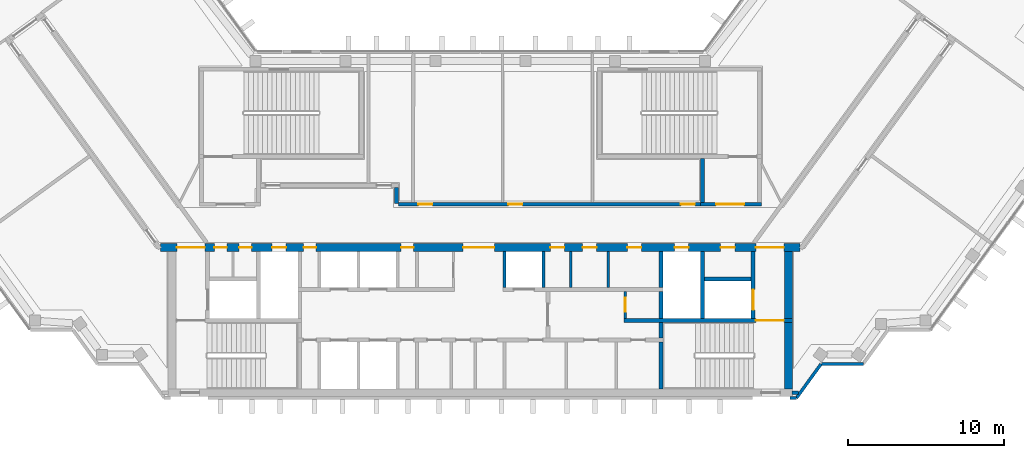
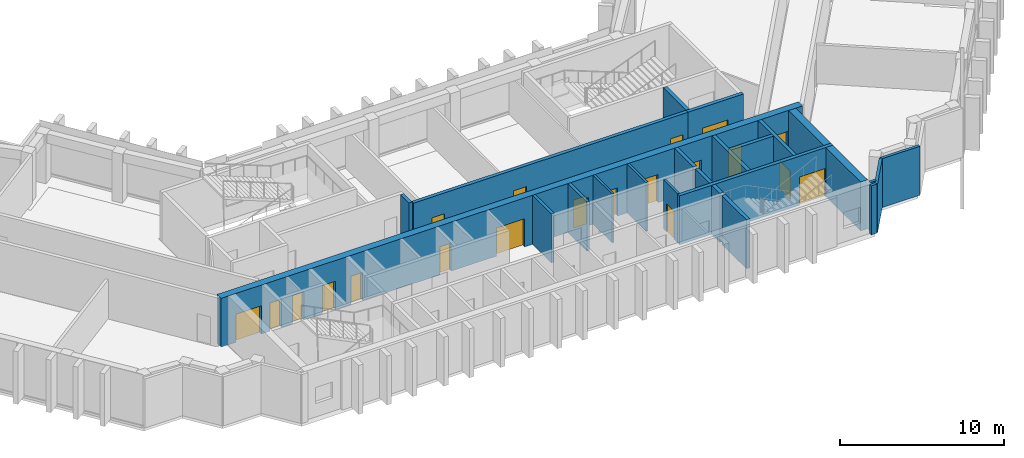
# One storey, part 6 of 10: 24 walls, 20 doors, 20 openings.
"""IFC4 building model written with IfcOpenShell, lengths in metres."""

from ifc_helpers import new_model, si_unit, direction, frame, frame_2d, origin, place, context, subcontext, project, spatial, rectangle, extrude, material, layer, layer_set, type_object, element, fill, save


model = new_model("IFC4")

# Units and contexts
model_context = context("Model", 3, precision=1e-05, world=origin(), true_north=direction((0.0, 1.0)))
body_context = subcontext(model_context, "Body", "Model", "MODEL_VIEW")
ifc_project = project(units=[si_unit("LENGTHUNIT", "METRE"), si_unit("AREAUNIT", "SQUARE_METRE"), si_unit("VOLUMEUNIT", "CUBIC_METRE"), si_unit("PLANEANGLEUNIT", "RADIAN"), si_unit("MASSUNIT", "GRAM", prefix="KILO")], contexts=[model_context])

# Site, building, storey
site_placement = place(None, origin())
site = spatial("IfcSite", under=ifc_project, at=site_placement, CompositionType="ELEMENT")
building_placement = place(site_placement, origin())
building = spatial("IfcBuilding", under=site, at=building_placement, Name="Quipu Civic Tower", CompositionType="ELEMENT")
storey_placement = place(building_placement, frame((0.0, 0.0, 339.0)))
storey = spatial("IfcBuildingStorey", under=building, at=storey_placement, Name="L79", CompositionType="ELEMENT", Elevation=339.0)

# Walls
ifc_material_1 = material(Name="Concrete C70/85", Category="concrete")
ifc_layer_1 = layer(ifc_material_1, 0.25)
ifc_layer_set_1 = layer_set([ifc_layer_1], Name="Concrete C70/85")
wall_type_1 = type_object("IfcWallType", Name="Core wall 250", PredefinedType="SHEAR", material=ifc_layer_set_1)
wall_1_placement = place(storey_placement, frame((11.574951171875, -10.5, 0.0), z_axis=(0.0, 0.0, 1.0), x_axis=(0.0, 1.0, 0.0)))
element("IfcWall", 1, at=wall_1_placement, inside=storey, type_object=wall_type_1, Name="Core wall", PredefinedType="SHEAR", context=body_context, shape_type="SweptSolid", body=[
    extrude(rectangle(XDim=3.0, YDim=0.25, at=frame_2d((1.5, 0.0))), origin(), (0.0, 0.0, 1.0), 3.64990234375),
])
wall_2_placement = place(storey_placement, frame((11.574951171875, -7.25, 0.0), z_axis=(0.0, 0.0, 1.0), x_axis=(0.0, 1.0, 0.0)))
element("IfcWall", 2, at=wall_2_placement, inside=storey, type_object=wall_type_1, Name="Core wall", PredefinedType="SHEAR", context=body_context, shape_type="SweptSolid", body=[
    extrude(rectangle(XDim=1.0, YDim=0.25, at=frame_2d((0.5, 0.0))), origin(), (0.0, 0.0, 1.0), 3.64990234375),
])

# Wall, opening, door
wall_3_placement = place(storey_placement, frame((20.0, -6.125, 0.0), z_axis=(0.0, 0.0, 1.0), x_axis=(-1.0, 0.0, 0.0)))
wall_3 = element("IfcWall", 3, at=wall_3_placement, inside=storey, type_object=wall_type_1, Name="Core wall", PredefinedType="SHEAR", context=body_context, shape_type="SweptSolid", body=[
    extrude(rectangle(XDim=10.800048828125, YDim=0.25, at=frame_2d((5.39990234375, 0.0))), origin(), (0.0, 0.0, 1.0), 3.64990234375),
])
opening_1_placement = place(wall_3_placement, frame((0.550048828125, 0.0, 0.0)))
opening_1 = element("IfcOpeningElement", 4, at=opening_1_placement, cuts=wall_3, Name="Opening CD-10", PredefinedType="OPENING", context=body_context, shape_type="SweptSolid", body=[
    extrude(rectangle(XDim=1.800048828125, YDim=2.10009765625, at=frame_2d((0.89990234375, 1.050048828125))), frame((0.0, 0.135009765625, 0.0), z_axis=(0.0, -1.0, 0.0), x_axis=(1.0, 0.0, 0.0)), (0.0, 0.0, 1.0), 0.27001953125),
])
ifc_material_2 = material(Name="Fire rated steel door", Category="steel")
door_type_1 = type_object("IfcDoorType", Name="Fire door FD90 double 1800 x 2100", OperationType="NOTDEFINED", PredefinedType="DOOR", material=ifc_material_2)
door_1_placement = place(opening_1_placement, origin())
door_1 = element("IfcDoor", 5, at=door_1_placement, inside=storey, type_object=door_type_1, Name="Door", OperationType="DOUBLE_DOOR_SINGLE_SWING", OverallHeight=2.10009765625, OverallWidth=1.800048828125, PredefinedType="DOOR", context=body_context, shape_type="SweptSolid", body=[
    extrude(rectangle(XDim=1.800048828125, YDim=2.10009765625, at=frame_2d((0.89990234375, 1.050048828125))), frame((0.0, 0.02490234375, 0.0), z_axis=(0.0, -1.0, 0.0), x_axis=(1.0, 0.0, 0.0)), (0.0, 0.0, 1.0), 0.050048828125),
])
fill(opening_1, door_1)

# Walls
wall_4_placement = place(storey_placement, frame((11.574951171875, -6.0, 0.0), z_axis=(0.0, 0.0, 1.0), x_axis=(0.0, 1.0, 0.0)))
element("IfcWall", 6, at=wall_4_placement, inside=storey, type_object=wall_type_1, Name="Core wall", PredefinedType="SHEAR", context=body_context, shape_type="SweptSolid", body=[
    extrude(rectangle(XDim=1.75, YDim=0.25, at=frame_2d((0.875, 0.0))), origin(), (0.0, 0.0, 1.0), 3.64990234375),
])
wall_5_placement = place(storey_placement, frame((14.22509765625, -6.0, 0.0), z_axis=(0.0, 0.0, 1.0), x_axis=(0.0, 1.0, 0.0)))
element("IfcWall", 7, at=wall_5_placement, inside=storey, type_object=wall_type_1, Name="Core wall", PredefinedType="SHEAR", context=body_context, shape_type="SweptSolid", body=[
    extrude(rectangle(XDim=4.300048828125, YDim=0.25, at=frame_2d((2.14990234375, 0.0))), origin(), (0.0, 0.0, 1.0), 3.64990234375),
])

# Wall, opening, door
wall_6_placement = place(storey_placement, frame((17.47509765625, -6.0, 0.0), z_axis=(0.0, 0.0, 1.0), x_axis=(0.0, 1.0, 0.0)))
wall_6 = element("IfcWall", 8, at=wall_6_placement, inside=storey, type_object=wall_type_1, Name="Core wall", PredefinedType="SHEAR", context=body_context, shape_type="SweptSolid", body=[
    extrude(rectangle(XDim=4.300048828125, YDim=0.25, at=frame_2d((2.14990234375, 0.0))), origin(), (0.0, 0.0, 1.0), 3.64990234375),
])
opening_2_placement = place(wall_6_placement, frame((0.550048828125, 0.0, 0.0)))
opening_2 = element("IfcOpeningElement", 9, at=opening_2_placement, cuts=wall_6, Name="Opening LD-FF2", PredefinedType="OPENING", context=body_context, shape_type="SweptSolid", body=[
    extrude(rectangle(XDim=1.300048828125, YDim=2.10009765625, at=frame_2d((0.64990234375, 1.050048828125))), frame((0.0, 0.135009765625, 0.0), z_axis=(0.0, -1.0, 0.0), x_axis=(1.0, 0.0, 0.0)), (0.0, 0.0, 1.0), 0.27001953125),
])
ifc_material_3 = material(Name="Stainless steel", Category="steel")
door_type_2 = type_object("IfcDoorType", Name="Lift landing door 1300 x 2100", OperationType="DOUBLE_DOOR_SLIDING", PredefinedType="DOOR", material=ifc_material_3)
door_2_placement = place(opening_2_placement, origin())
door_2 = element("IfcDoor", 10, at=door_2_placement, inside=storey, type_object=door_type_2, Name="Landing door FF2", OperationType="DOUBLE_DOOR_SLIDING", OverallHeight=2.10009765625, OverallWidth=1.300048828125, PredefinedType="DOOR", context=body_context, shape_type="SweptSolid", body=[
    extrude(rectangle(XDim=1.300048828125, YDim=2.10009765625, at=frame_2d((0.64990234375, 1.050048828125))), frame((0.0, 0.02490234375, 0.0), z_axis=(0.0, -1.0, 0.0), x_axis=(1.0, 0.0, 0.0)), (0.0, 0.0, 1.0), 0.050048828125),
])
fill(opening_2, door_2)

# Walls
wall_7_placement = place(storey_placement, frame((11.574951171875, -4.0, 0.0), z_axis=(0.0, 0.0, 1.0), x_axis=(0.0, 1.0, 0.0)))
element("IfcWall", 11, at=wall_7_placement, inside=storey, type_object=wall_type_1, Name="Core wall", PredefinedType="SHEAR", context=body_context, shape_type="SweptSolid", body=[
    extrude(rectangle(XDim=2.300048828125, YDim=0.25, at=frame_2d((1.14990234375, 0.0))), origin(), (0.0, 0.0, 1.0), 3.64990234375),
])
wall_8_placement = place(storey_placement, frame((14.35009765625, -3.47509765625, 0.0), z_axis=(0.0, 0.0, 1.0), x_axis=(1.0, 0.0, 0.0)))
element("IfcWall", 12, at=wall_8_placement, inside=storey, type_object=wall_type_1, Name="Core wall", PredefinedType="SHEAR", context=body_context, shape_type="SweptSolid", body=[
    extrude(rectangle(XDim=3.0, YDim=0.25, at=frame_2d((1.5, 0.0))), origin(), (0.0, 0.0, 1.0), 3.64990234375),
])

# Wall, opening, door
wall_9_placement = place(storey_placement, frame((14.10009765625, 1.324951171875, 0.0), z_axis=(0.0, 0.0, 1.0), x_axis=(1.0, 0.0, 0.0)))
wall_9 = element("IfcWall", 13, at=wall_9_placement, inside=storey, type_object=wall_type_1, Name="Core wall", PredefinedType="SHEAR", context=body_context, shape_type="SweptSolid", body=[
    extrude(rectangle(XDim=3.89990234375, YDim=0.25, at=frame_2d((1.949951171875, 0.0))), origin(), (0.0, 0.0, 1.0), 3.64990234375),
])
opening_3_placement = place(wall_9_placement, frame((1.0, 0.0, 0.0)))
opening_3 = element("IfcOpeningElement", 14, at=opening_3_placement, cuts=wall_9, Name="Opening CD-29", PredefinedType="OPENING", context=body_context, shape_type="SweptSolid", body=[
    extrude(rectangle(XDim=1.800048828125, YDim=2.10009765625, at=frame_2d((0.89990234375, 1.050048828125))), frame((0.0, 0.135009765625, 0.0), z_axis=(0.0, -1.0, 0.0), x_axis=(1.0, 0.0, 0.0)), (0.0, 0.0, 1.0), 0.27001953125),
])
door_3_placement = place(opening_3_placement, origin())
door_3 = element("IfcDoor", 15, at=door_3_placement, inside=storey, type_object=door_type_1, Name="Lobby door", OperationType="DOUBLE_DOOR_SINGLE_SWING", OverallHeight=2.10009765625, OverallWidth=1.800048828125, PredefinedType="DOOR", context=body_context, shape_type="SweptSolid", body=[
    extrude(rectangle(XDim=1.800048828125, YDim=2.10009765625, at=frame_2d((0.89990234375, 1.050048828125))), frame((0.0, 0.02490234375, 0.0), z_axis=(0.0, -1.0, 0.0), x_axis=(1.0, 0.0, 0.0)), (0.0, 0.0, 1.0), 0.050048828125),
])
fill(opening_3, door_3)

# Walls
wall_10_placement = place(storey_placement, frame((14.22509765625, 1.449951171875, 0.0), z_axis=(0.0, 0.0, 1.0), x_axis=(0.0, 1.0, 0.0)))
element("IfcWall", 16, at=wall_10_placement, inside=storey, type_object=wall_type_1, Name="Core wall", PredefinedType="SHEAR", context=body_context, shape_type="SweptSolid", body=[
    extrude(rectangle(XDim=2.800048828125, YDim=0.25, at=frame_2d((1.39990234375, 0.0))), origin(), (0.0, 0.0, 1.0), 3.64990234375),
])
ifc_material_4 = material(Name="Concrete C70/85", Category="concrete")
ifc_layer_2 = layer(ifc_material_4, 0.5)
ifc_layer_set_2 = layer_set([ifc_layer_2], Name="Concrete C70/85")
wall_type_2 = type_object("IfcWallType", Name="Core wall 500", PredefinedType="SHEAR", material=ifc_layer_set_2)
wall_11_placement = place(storey_placement, frame((19.75, -10.5, 0.0), z_axis=(0.0, 0.0, 1.0), x_axis=(0.0, 1.0, 0.0)))
element("IfcWall", 17, at=wall_11_placement, inside=storey, type_object=wall_type_2, Name="Core wall", PredefinedType="SHEAR", context=body_context, shape_type="SweptSolid", body=[
    extrude(rectangle(XDim=4.25, YDim=0.5, at=frame_2d((2.125, 0.0))), origin(), (0.0, 0.0, 1.0), 3.64990234375),
])
wall_12_placement = place(storey_placement, frame((19.75, -6.0, 0.0), z_axis=(0.0, 0.0, 1.0), x_axis=(0.0, 1.0, 0.0)))
element("IfcWall", 18, at=wall_12_placement, inside=storey, type_object=wall_type_2, Name="Core wall", PredefinedType="SHEAR", context=body_context, shape_type="SweptSolid", body=[
    extrude(rectangle(XDim=4.300048828125, YDim=0.5, at=frame_2d((2.14990234375, 0.0))), origin(), (0.0, 0.0, 1.0), 3.64990234375),
])

# Wall, openings, doors
wall_13_placement = place(storey_placement, frame((20.489990234375, -1.449951171875, 0.0), z_axis=(0.0, 0.0, 1.0), x_axis=(-1.0, 0.0, 0.0)))
wall_13 = element("IfcWall", 19, at=wall_13_placement, inside=storey, type_object=wall_type_2, Name="Core wall", PredefinedType="SHEAR", context=body_context, shape_type="SweptSolid", body=[
    extrude(rectangle(XDim=40.97998046875, YDim=0.5, at=frame_2d((20.489990234375, 0.0))), origin(), (0.0, 0.0, 1.0), 3.64990234375),
])
opening_4_placement = place(wall_13_placement, frame((38.139892578125, 0.0, 0.0)))
opening_4 = element("IfcOpeningElement", 20, at=opening_4_placement, cuts=wall_13, Name="Opening CD-14", PredefinedType="OPENING", context=body_context, shape_type="SweptSolid", body=[
    extrude(rectangle(XDim=1.800048828125, YDim=2.10009765625, at=frame_2d((0.89990234375, 1.050048828125))), frame((0.0, 0.260009765625, 0.0), z_axis=(0.0, -1.0, 0.0), x_axis=(1.0, 0.0, 0.0)), (0.0, 0.0, 1.0), 0.52001953125),
])
opening_5_placement = place(wall_13_placement, frame((36.7275390625, 0.0, 0.0)))
opening_5 = element("IfcOpeningElement", 21, at=opening_5_placement, cuts=wall_13, Name="Opening CD-15", PredefinedType="OPENING", context=body_context, shape_type="SweptSolid", body=[
    extrude(rectangle(XDim=0.800048828125, YDim=2.10009765625, at=frame_2d((0.39990234375, 1.050048828125))), frame((0.0, 0.260009765625, 0.0), z_axis=(0.0, -1.0, 0.0), x_axis=(1.0, 0.0, 0.0)), (0.0, 0.0, 1.0), 0.52001953125),
])
opening_6_placement = place(wall_13_placement, frame((35.152587890625, 0.0, 0.0)))
opening_6 = element("IfcOpeningElement", 22, at=opening_6_placement, cuts=wall_13, Name="Opening CD-16", PredefinedType="OPENING", context=body_context, shape_type="SweptSolid", body=[
    extrude(rectangle(XDim=0.800048828125, YDim=2.10009765625, at=frame_2d((0.39990234375, 1.050048828125))), frame((0.0, 0.260009765625, 0.0), z_axis=(0.0, -1.0, 0.0), x_axis=(1.0, 0.0, 0.0)), (0.0, 0.0, 1.0), 0.52001953125),
])
opening_7_placement = place(wall_13_placement, frame((32.93994140625, 0.0, 0.0)))
opening_7 = element("IfcOpeningElement", 23, at=opening_7_placement, cuts=wall_13, Name="Opening CD-17", PredefinedType="OPENING", context=body_context, shape_type="SweptSolid", body=[
    extrude(rectangle(XDim=0.89990234375, YDim=2.10009765625, at=frame_2d((0.449951171875, 1.050048828125))), frame((0.0, 0.260009765625, 0.0), z_axis=(0.0, -1.0, 0.0), x_axis=(1.0, 0.0, 0.0)), (0.0, 0.0, 1.0), 0.52001953125),
])
opening_8_placement = place(wall_13_placement, frame((31.014892578125, 0.0, 0.0)))
opening_8 = element("IfcOpeningElement", 24, at=opening_8_placement, cuts=wall_13, Name="Opening CD-18", PredefinedType="OPENING", context=body_context, shape_type="SweptSolid", body=[
    extrude(rectangle(XDim=0.800048828125, YDim=2.10009765625, at=frame_2d((0.39990234375, 1.050048828125))), frame((0.0, 0.260009765625, 0.0), z_axis=(0.0, -1.0, 0.0), x_axis=(1.0, 0.0, 0.0)), (0.0, 0.0, 1.0), 0.52001953125),
])
opening_9_placement = place(wall_13_placement, frame((24.764892578125, 0.0, 0.0)))
opening_9 = element("IfcOpeningElement", 25, at=opening_9_placement, cuts=wall_13, Name="Opening CD-19", PredefinedType="OPENING", context=body_context, shape_type="SweptSolid", body=[
    extrude(rectangle(XDim=0.800048828125, YDim=2.10009765625, at=frame_2d((0.39990234375, 1.050048828125))), frame((0.0, 0.260009765625, 0.0), z_axis=(0.0, -1.0, 0.0), x_axis=(1.0, 0.0, 0.0)), (0.0, 0.0, 1.0), 0.52001953125),
])
opening_10_placement = place(wall_13_placement, frame((19.590087890625, 0.0, 0.0)))
opening_10 = element("IfcOpeningElement", 26, at=opening_10_placement, cuts=wall_13, Name="Opening CD-20", PredefinedType="OPENING", context=body_context, shape_type="SweptSolid", body=[
    extrude(rectangle(XDim=2.0, YDim=2.10009765625, at=frame_2d((1.0, 1.050048828125))), frame((0.0, 0.260009765625, 0.0), z_axis=(0.0, -1.0, 0.0), x_axis=(1.0, 0.0, 0.0)), (0.0, 0.0, 1.0), 0.52001953125),
])
opening_11_placement = place(wall_13_placement, frame((15.1025390625, 0.0, 0.0)))
opening_11 = element("IfcOpeningElement", 27, at=opening_11_placement, cuts=wall_13, Name="Opening CD-21", PredefinedType="OPENING", context=body_context, shape_type="SweptSolid", body=[
    extrude(rectangle(XDim=0.89990234375, YDim=2.10009765625, at=frame_2d((0.449951171875, 1.050048828125))), frame((0.0, 0.260009765625, 0.0), z_axis=(0.0, -1.0, 0.0), x_axis=(1.0, 0.0, 0.0)), (0.0, 0.0, 1.0), 0.52001953125),
])
opening_12_placement = place(wall_13_placement, frame((13.0400390625, 0.0, 0.0)))
opening_12 = element("IfcOpeningElement", 28, at=opening_12_placement, cuts=wall_13, Name="Opening CD-22", PredefinedType="OPENING", context=body_context, shape_type="SweptSolid", body=[
    extrude(rectangle(XDim=0.89990234375, YDim=2.10009765625, at=frame_2d((0.449951171875, 1.050048828125))), frame((0.0, 0.260009765625, 0.0), z_axis=(0.0, -1.0, 0.0), x_axis=(1.0, 0.0, 0.0)), (0.0, 0.0, 1.0), 0.52001953125),
])
opening_13_placement = place(wall_13_placement, frame((10.177490234375, 0.0, 0.0)))
opening_13 = element("IfcOpeningElement", 29, at=opening_13_placement, cuts=wall_13, Name="Opening CD-23", PredefinedType="OPENING", context=body_context, shape_type="SweptSolid", body=[
    extrude(rectangle(XDim=0.89990234375, YDim=2.10009765625, at=frame_2d((0.449951171875, 1.050048828125))), frame((0.0, 0.260009765625, 0.0), z_axis=(0.0, -1.0, 0.0), x_axis=(1.0, 0.0, 0.0)), (0.0, 0.0, 1.0), 0.52001953125),
])
opening_14_placement = place(wall_13_placement, frame((7.139892578125, 0.0, 0.0)))
opening_14 = element("IfcOpeningElement", 30, at=opening_14_placement, cuts=wall_13, Name="Opening CD-24", PredefinedType="OPENING", context=body_context, shape_type="SweptSolid", body=[
    extrude(rectangle(XDim=0.89990234375, YDim=2.10009765625, at=frame_2d((0.449951171875, 1.050048828125))), frame((0.0, 0.260009765625, 0.0), z_axis=(0.0, -1.0, 0.0), x_axis=(1.0, 0.0, 0.0)), (0.0, 0.0, 1.0), 0.52001953125),
])
opening_15_placement = place(wall_13_placement, frame((4.18994140625, 0.0, 0.0)))
opening_15 = element("IfcOpeningElement", 31, at=opening_15_placement, cuts=wall_13, Name="Opening CD-25", PredefinedType="OPENING", context=body_context, shape_type="SweptSolid", body=[
    extrude(rectangle(XDim=0.89990234375, YDim=2.10009765625, at=frame_2d((0.449951171875, 1.050048828125))), frame((0.0, 0.260009765625, 0.0), z_axis=(0.0, -1.0, 0.0), x_axis=(1.0, 0.0, 0.0)), (0.0, 0.0, 1.0), 0.52001953125),
])
opening_16_placement = place(wall_13_placement, frame((1.0400390625, 0.0, 0.0)))
opening_16 = element("IfcOpeningElement", 32, at=opening_16_placement, cuts=wall_13, Name="Opening CD-26", PredefinedType="OPENING", context=body_context, shape_type="SweptSolid", body=[
    extrude(rectangle(XDim=1.800048828125, YDim=2.10009765625, at=frame_2d((0.89990234375, 1.050048828125))), frame((0.0, 0.260009765625, 0.0), z_axis=(0.0, -1.0, 0.0), x_axis=(1.0, 0.0, 0.0)), (0.0, 0.0, 1.0), 0.52001953125),
])
ifc_material_5 = material(Name="Fire rated steel door", Category="steel")
door_type_3 = type_object("IfcDoorType", Name="Fire door FD60 800 x 2100", OperationType="NOTDEFINED", PredefinedType="DOOR", material=ifc_material_5)
door_4_placement = place(opening_5_placement, origin())
door_4 = element("IfcDoor", 33, at=door_4_placement, inside=storey, type_object=door_type_3, Name="Door", OperationType="SINGLE_SWING_RIGHT", OverallHeight=2.10009765625, OverallWidth=0.800048828125, PredefinedType="DOOR", context=body_context, shape_type="SweptSolid", body=[
    extrude(rectangle(XDim=0.800048828125, YDim=2.10009765625, at=frame_2d((0.39990234375, 1.050048828125))), frame((0.0, 0.02490234375, 0.0), z_axis=(0.0, -1.0, 0.0), x_axis=(1.0, 0.0, 0.0)), (0.0, 0.0, 1.0), 0.050048828125),
])
fill(opening_5, door_4)
door_5_placement = place(opening_6_placement, origin())
door_5 = element("IfcDoor", 34, at=door_5_placement, inside=storey, type_object=door_type_3, Name="Door", OperationType="SINGLE_SWING_RIGHT", OverallHeight=2.10009765625, OverallWidth=0.800048828125, PredefinedType="DOOR", context=body_context, shape_type="SweptSolid", body=[
    extrude(rectangle(XDim=0.800048828125, YDim=2.10009765625, at=frame_2d((0.39990234375, 1.050048828125))), frame((0.0, 0.02490234375, 0.0), z_axis=(0.0, -1.0, 0.0), x_axis=(1.0, 0.0, 0.0)), (0.0, 0.0, 1.0), 0.050048828125),
])
fill(opening_6, door_5)
door_6_placement = place(opening_8_placement, origin())
door_6 = element("IfcDoor", 35, at=door_6_placement, inside=storey, type_object=door_type_3, Name="Door", OperationType="SINGLE_SWING_RIGHT", OverallHeight=2.10009765625, OverallWidth=0.800048828125, PredefinedType="DOOR", context=body_context, shape_type="SweptSolid", body=[
    extrude(rectangle(XDim=0.800048828125, YDim=2.10009765625, at=frame_2d((0.39990234375, 1.050048828125))), frame((0.0, 0.02490234375, 0.0), z_axis=(0.0, -1.0, 0.0), x_axis=(1.0, 0.0, 0.0)), (0.0, 0.0, 1.0), 0.050048828125),
])
fill(opening_8, door_6)
door_7_placement = place(opening_9_placement, origin())
door_7 = element("IfcDoor", 36, at=door_7_placement, inside=storey, type_object=door_type_3, Name="Door", OperationType="SINGLE_SWING_RIGHT", OverallHeight=2.10009765625, OverallWidth=0.800048828125, PredefinedType="DOOR", context=body_context, shape_type="SweptSolid", body=[
    extrude(rectangle(XDim=0.800048828125, YDim=2.10009765625, at=frame_2d((0.39990234375, 1.050048828125))), frame((0.0, 0.02490234375, 0.0), z_axis=(0.0, -1.0, 0.0), x_axis=(1.0, 0.0, 0.0)), (0.0, 0.0, 1.0), 0.050048828125),
])
fill(opening_9, door_7)
ifc_material_6 = material(Name="Fire rated steel door", Category="steel")
door_type_4 = type_object("IfcDoorType", Name="Fire door FD60 900 x 2100", OperationType="NOTDEFINED", PredefinedType="DOOR", material=ifc_material_6)
door_8_placement = place(opening_7_placement, origin())
door_8 = element("IfcDoor", 37, at=door_8_placement, inside=storey, type_object=door_type_4, Name="Riser door", OperationType="SINGLE_SWING_RIGHT", OverallHeight=2.10009765625, OverallWidth=0.89990234375, PredefinedType="DOOR", context=body_context, shape_type="SweptSolid", body=[
    extrude(rectangle(XDim=0.89990234375, YDim=2.10009765625, at=frame_2d((0.449951171875, 1.050048828125))), frame((0.0, 0.02490234375, 0.0), z_axis=(0.0, -1.0, 0.0), x_axis=(1.0, 0.0, 0.0)), (0.0, 0.0, 1.0), 0.050048828125),
])
fill(opening_7, door_8)
door_9_placement = place(opening_11_placement, origin())
door_9 = element("IfcDoor", 38, at=door_9_placement, inside=storey, type_object=door_type_4, Name="Door", OperationType="SINGLE_SWING_LEFT", OverallHeight=2.10009765625, OverallWidth=0.89990234375, PredefinedType="DOOR", context=body_context, shape_type="SweptSolid", body=[
    extrude(rectangle(XDim=0.89990234375, YDim=2.10009765625, at=frame_2d((0.449951171875, 1.050048828125))), frame((0.0, 0.02490234375, 0.0), z_axis=(0.0, -1.0, 0.0), x_axis=(1.0, 0.0, 0.0)), (0.0, 0.0, 1.0), 0.050048828125),
])
fill(opening_11, door_9)
door_10_placement = place(opening_12_placement, origin())
door_10 = element("IfcDoor", 39, at=door_10_placement, inside=storey, type_object=door_type_4, Name="Door", OperationType="SINGLE_SWING_LEFT", OverallHeight=2.10009765625, OverallWidth=0.89990234375, PredefinedType="DOOR", context=body_context, shape_type="SweptSolid", body=[
    extrude(rectangle(XDim=0.89990234375, YDim=2.10009765625, at=frame_2d((0.449951171875, 1.050048828125))), frame((0.0, 0.02490234375, 0.0), z_axis=(0.0, -1.0, 0.0), x_axis=(1.0, 0.0, 0.0)), (0.0, 0.0, 1.0), 0.050048828125),
])
fill(opening_12, door_10)
door_11_placement = place(opening_13_placement, origin())
door_11 = element("IfcDoor", 40, at=door_11_placement, inside=storey, type_object=door_type_4, Name="Door", OperationType="SINGLE_SWING_LEFT", OverallHeight=2.10009765625, OverallWidth=0.89990234375, PredefinedType="DOOR", context=body_context, shape_type="SweptSolid", body=[
    extrude(rectangle(XDim=0.89990234375, YDim=2.10009765625, at=frame_2d((0.449951171875, 1.050048828125))), frame((0.0, 0.02490234375, 0.0), z_axis=(0.0, -1.0, 0.0), x_axis=(1.0, 0.0, 0.0)), (0.0, 0.0, 1.0), 0.050048828125),
])
fill(opening_13, door_11)
door_12_placement = place(opening_14_placement, origin())
door_12 = element("IfcDoor", 41, at=door_12_placement, inside=storey, type_object=door_type_4, Name="Riser door", OperationType="SINGLE_SWING_LEFT", OverallHeight=2.10009765625, OverallWidth=0.89990234375, PredefinedType="DOOR", context=body_context, shape_type="SweptSolid", body=[
    extrude(rectangle(XDim=0.89990234375, YDim=2.10009765625, at=frame_2d((0.449951171875, 1.050048828125))), frame((0.0, 0.02490234375, 0.0), z_axis=(0.0, -1.0, 0.0), x_axis=(1.0, 0.0, 0.0)), (0.0, 0.0, 1.0), 0.050048828125),
])
fill(opening_14, door_12)
door_13_placement = place(opening_15_placement, origin())
door_13 = element("IfcDoor", 42, at=door_13_placement, inside=storey, type_object=door_type_4, Name="Door", OperationType="SINGLE_SWING_LEFT", OverallHeight=2.10009765625, OverallWidth=0.89990234375, PredefinedType="DOOR", context=body_context, shape_type="SweptSolid", body=[
    extrude(rectangle(XDim=0.89990234375, YDim=2.10009765625, at=frame_2d((0.449951171875, 1.050048828125))), frame((0.0, 0.02490234375, 0.0), z_axis=(0.0, -1.0, 0.0), x_axis=(1.0, 0.0, 0.0)), (0.0, 0.0, 1.0), 0.050048828125),
])
fill(opening_15, door_13)
door_14_placement = place(opening_4_placement, origin())
door_14 = element("IfcDoor", 43, at=door_14_placement, inside=storey, type_object=door_type_1, Name="Lobby door", OperationType="DOUBLE_DOOR_SINGLE_SWING", OverallHeight=2.10009765625, OverallWidth=1.800048828125, PredefinedType="DOOR", context=body_context, shape_type="SweptSolid", body=[
    extrude(rectangle(XDim=1.800048828125, YDim=2.10009765625, at=frame_2d((0.89990234375, 1.050048828125))), frame((0.0, 0.02490234375, 0.0), z_axis=(0.0, -1.0, 0.0), x_axis=(1.0, 0.0, 0.0)), (0.0, 0.0, 1.0), 0.050048828125),
])
fill(opening_4, door_14)
door_15_placement = place(opening_16_placement, origin())
door_15 = element("IfcDoor", 44, at=door_15_placement, inside=storey, type_object=door_type_1, Name="Lobby door", OperationType="DOUBLE_DOOR_SINGLE_SWING", OverallHeight=2.10009765625, OverallWidth=1.800048828125, PredefinedType="DOOR", context=body_context, shape_type="SweptSolid", body=[
    extrude(rectangle(XDim=1.800048828125, YDim=2.10009765625, at=frame_2d((0.89990234375, 1.050048828125))), frame((0.0, 0.02490234375, 0.0), z_axis=(0.0, -1.0, 0.0), x_axis=(1.0, 0.0, 0.0)), (0.0, 0.0, 1.0), 0.050048828125),
])
fill(opening_16, door_15)
ifc_material_7 = material(Name="Fire rated steel door", Category="steel")
door_type_5 = type_object("IfcDoorType", Name="Fire door FD90 double 2000 x 2100", OperationType="NOTDEFINED", PredefinedType="DOOR", material=ifc_material_7)
door_16_placement = place(opening_10_placement, origin())
door_16 = element("IfcDoor", 45, at=door_16_placement, inside=storey, type_object=door_type_5, Name="Lobby door", OperationType="DOUBLE_DOOR_SINGLE_SWING", OverallHeight=2.10009765625, OverallWidth=2.0, PredefinedType="DOOR", context=body_context, shape_type="SweptSolid", body=[
    extrude(rectangle(XDim=2.0, YDim=2.10009765625, at=frame_2d((1.0, 1.050048828125))), frame((0.0, 0.02490234375, 0.0), z_axis=(0.0, -1.0, 0.0), x_axis=(1.0, 0.0, 0.0)), (0.0, 0.0, 1.0), 0.050048828125),
])
fill(opening_10, door_16)

# Wall
ifc_material_8 = material(Name="Concrete C50/60", Category="concrete")
ifc_layer_3 = layer(ifc_material_8, 0.25)
ifc_layer_set_3 = layer_set([ifc_layer_3], Name="Concrete C50/60")
wall_type_3 = type_object("IfcWallType", Name="Corridor wall 250 concrete", PredefinedType="SOLIDWALL", material=ifc_layer_set_3)
wall_14_placement = place(storey_placement, frame((-5.375, 2.39990234375, 0.0), z_axis=(0.0, 0.0, 1.0), x_axis=(0.0, -1.0, 0.0)))
element("IfcWall", 46, at=wall_14_placement, inside=storey, type_object=wall_type_3, Name="Corridor wall C08", PredefinedType="SOLIDWALL", context=body_context, shape_type="SweptSolid", body=[
    extrude(rectangle(XDim=1.041259765625, YDim=0.25, at=frame_2d((0.5205078125, 0.0))), origin(), (0.0, 0.0, 1.0), 3.64990234375),
])

# Wall, openings, doors
wall_15_placement = place(storey_placement, frame((-5.246337890625, 1.324951171875, 0.0), z_axis=(0.0, 0.0, 1.0), x_axis=(1.0, 0.0, 0.0)))
wall_15 = element("IfcWall", 47, at=wall_15_placement, inside=storey, type_object=wall_type_3, Name="Corridor wall C09", PredefinedType="SOLIDWALL", context=body_context, shape_type="SweptSolid", body=[
    extrude(rectangle(XDim=19.33642578125, YDim=0.25, at=frame_2d((9.668212890625, 0.0))), origin(), (0.0, 0.0, 1.0), 3.64990234375),
])
opening_17_placement = place(wall_15_placement, frame((1.27734375, 0.0, 0.0)))
opening_17 = element("IfcOpeningElement", 48, at=opening_17_placement, cuts=wall_15, Name="Opening D007", PredefinedType="OPENING", context=body_context, shape_type="SweptSolid", body=[
    extrude(rectangle(XDim=0.89990234375, YDim=2.10009765625, at=frame_2d((0.449951171875, 1.050048828125))), frame((0.0, 0.135009765625, 0.0), z_axis=(0.0, -1.0, 0.0), x_axis=(1.0, 0.0, 0.0)), (0.0, 0.0, 1.0), 0.27001953125),
])
opening_18_placement = place(wall_15_placement, frame((7.036376953125, 0.0, 0.0)))
opening_18 = element("IfcOpeningElement", 49, at=opening_18_placement, cuts=wall_15, Name="Opening D008", PredefinedType="OPENING", context=body_context, shape_type="SweptSolid", body=[
    extrude(rectangle(XDim=0.89990234375, YDim=2.10009765625, at=frame_2d((0.449951171875, 1.050048828125))), frame((0.0, 0.135009765625, 0.0), z_axis=(0.0, -1.0, 0.0), x_axis=(1.0, 0.0, 0.0)), (0.0, 0.0, 1.0), 0.27001953125),
])
opening_19_placement = place(wall_15_placement, frame((18.09619140625, 0.0, 0.0)))
opening_19 = element("IfcOpeningElement", 50, at=opening_19_placement, cuts=wall_15, Name="Opening D009", PredefinedType="OPENING", context=body_context, shape_type="SweptSolid", body=[
    extrude(rectangle(XDim=0.89990234375, YDim=2.10009765625, at=frame_2d((0.449951171875, 1.050048828125))), frame((0.0, 0.135009765625, 0.0), z_axis=(0.0, -1.0, 0.0), x_axis=(1.0, 0.0, 0.0)), (0.0, 0.0, 1.0), 0.27001953125),
])
ifc_material_9 = material(Name="Fire rated timber door set with metal frame", Category="wood")
door_type_6 = type_object("IfcDoorType", Name="Single door 900 x 2100 FD60", OperationType="NOTDEFINED", PredefinedType="DOOR", material=ifc_material_9)
door_17_placement = place(opening_17_placement, origin())
door_17 = element("IfcDoor", 51, at=door_17_placement, inside=storey, type_object=door_type_6, Name="Door D007", OperationType="SINGLE_SWING_LEFT", OverallHeight=2.10009765625, OverallWidth=0.89990234375, PredefinedType="DOOR", context=body_context, shape_type="SweptSolid", body=[
    extrude(rectangle(XDim=0.89990234375, YDim=2.10009765625, at=frame_2d((0.449951171875, 1.050048828125))), frame((0.0, 0.02490234375, 0.0), z_axis=(0.0, -1.0, 0.0), x_axis=(1.0, 0.0, 0.0)), (0.0, 0.0, 1.0), 0.050048828125),
])
fill(opening_17, door_17)
door_18_placement = place(opening_18_placement, origin())
door_18 = element("IfcDoor", 52, at=door_18_placement, inside=storey, type_object=door_type_6, Name="Door D008", OperationType="SINGLE_SWING_LEFT", OverallHeight=2.10009765625, OverallWidth=0.89990234375, PredefinedType="DOOR", context=body_context, shape_type="SweptSolid", body=[
    extrude(rectangle(XDim=0.89990234375, YDim=2.10009765625, at=frame_2d((0.449951171875, 1.050048828125))), frame((0.0, 0.02490234375, 0.0), z_axis=(0.0, -1.0, 0.0), x_axis=(1.0, 0.0, 0.0)), (0.0, 0.0, 1.0), 0.050048828125),
])
fill(opening_18, door_18)
door_19_placement = place(opening_19_placement, origin())
door_19 = element("IfcDoor", 53, at=door_19_placement, inside=storey, type_object=door_type_6, Name="Door D009", OperationType="SINGLE_SWING_RIGHT", OverallHeight=2.10009765625, OverallWidth=0.89990234375, PredefinedType="DOOR", context=body_context, shape_type="SweptSolid", body=[
    extrude(rectangle(XDim=0.89990234375, YDim=2.10009765625, at=frame_2d((0.449951171875, 1.050048828125))), frame((0.0, 0.02490234375, 0.0), z_axis=(0.0, -1.0, 0.0), x_axis=(1.0, 0.0, 0.0)), (0.0, 0.0, 1.0), 0.050048828125),
])
fill(opening_19, door_19)

# Wall, opening, door
ifc_material_10 = material(Name="Gypsum board partition")
ifc_layer_4 = layer(ifc_material_10, 0.14990234375)
ifc_layer_set_4 = layer_set([ifc_layer_4], Name="Gypsum board partition")
wall_type_4 = type_object("IfcWallType", Name="Partition 150", PredefinedType="PARTITIONING", material=ifc_layer_set_4)
wall_16_placement = place(storey_placement, frame((9.27490234375, -6.0, 0.0), z_axis=(0.0, 0.0, 1.0), x_axis=(0.0, 1.0, 0.0)))
wall_16 = element("IfcWall", 54, at=wall_16_placement, inside=storey, type_object=wall_type_4, Name="Partition", PredefinedType="PARTITIONING", context=body_context, shape_type="SweptSolid", body=[
    extrude(rectangle(XDim=1.75, YDim=0.14990234375, at=frame_2d((0.875, 0.0))), origin(), (0.0, 0.0, 1.0), 3.64990234375),
])
opening_20_placement = place(wall_16_placement, frame((0.449951171875, 0.0, 0.0)))
opening_20 = element("IfcOpeningElement", 55, at=opening_20_placement, cuts=wall_16, Name="Opening CD-12", PredefinedType="OPENING", context=body_context, shape_type="SweptSolid", body=[
    extrude(rectangle(XDim=0.89990234375, YDim=2.10009765625, at=frame_2d((0.449951171875, 1.050048828125))), frame((0.0, 0.0849609375, 0.0), z_axis=(0.0, -1.0, 0.0), x_axis=(1.0, 0.0, 0.0)), (0.0, 0.0, 1.0), 0.169921875),
])
door_20_placement = place(opening_20_placement, origin())
door_20 = element("IfcDoor", 56, at=door_20_placement, inside=storey, type_object=door_type_4, Name="Door", OperationType="SINGLE_SWING_RIGHT", OverallHeight=2.10009765625, OverallWidth=0.89990234375, PredefinedType="DOOR", context=body_context, shape_type="SweptSolid", body=[
    extrude(rectangle(XDim=0.89990234375, YDim=2.10009765625, at=frame_2d((0.449951171875, 1.050048828125))), frame((0.0, 0.02490234375, 0.0), z_axis=(0.0, -1.0, 0.0), x_axis=(1.0, 0.0, 0.0)), (0.0, 0.0, 1.0), 0.050048828125),
])
fill(opening_20, door_20)

# Walls
for number, where, z_axis, x_axis, name in (
    (57, (5.800048828125, -4.0, 0.0), (0.0, 0.0, 1.0), (0.0, 1.0, 0.0), "Partition"),
    (58, (8.199951171875, -4.0, 0.0), (0.0, 0.0, 1.0), (0.0, 1.0, 0.0), "Partition"),
):
    element("IfcWall", number, at=place(storey_placement, frame(where, z_axis=z_axis, x_axis=x_axis)), inside=storey, type_object=wall_type_4, Name=name, PredefinedType="PARTITIONING", context=body_context, shape_type="SweptSolid", body=[
        extrude(rectangle(XDim=2.300048828125, YDim=0.14990234375, at=frame_2d((1.14990234375, 0.0))), origin(), (0.0, 0.0, 1.0), 3.64990234375),
    ])
ifc_material_11 = material(Name="Precast concrete C40/50", Category="concrete")
wall_type_5 = type_object("IfcWallType", Name="Precast cladding wall", PredefinedType="SOLIDWALL", material=ifc_material_11)
wall_17_placement = place(storey_placement, frame((19.85009765625, -11.087890625, 0.0), z_axis=(0.0, 0.0, 1.0), x_axis=(1.0, 0.0, 0.0)))
element("IfcWall", 59, at=wall_17_placement, inside=storey, type_object=wall_type_5, Name="Precast cladding wall L79 P19", PredefinedType="SOLIDWALL", context=body_context, shape_type="SweptSolid", body=[
    extrude(rectangle(XDim=0.40576171875, YDim=0.199951171875, at=frame_2d((0.202880859375, 0.0))), origin(), (0.0, 0.0, 1.0), 3.64990234375),
])
wall_18_placement = place(storey_placement, frame((20.253173828125, -11.083251953125, 0.0), z_axis=(0.0, 0.0, 1.0), x_axis=(0.587766567315, 0.809030569476, 0.0)))
element("IfcWall", 60, at=wall_18_placement, inside=storey, type_object=wall_type_5, Name="Precast cladding wall L79 P20", PredefinedType="SOLIDWALL", context=body_context, shape_type="SweptSolid", body=[
    extrude(rectangle(XDim=2.687744140625, YDim=0.199951171875, at=frame_2d((1.34375, 0.0))), origin(), (0.0, 0.0, 1.0), 3.64990234375),
])
wall_19_placement = place(storey_placement, frame((21.8427734375, -8.90380859375, 0.0), z_axis=(0.0, 0.0, 1.0), x_axis=(1.0, 0.0, 0.0)))
element("IfcWall", 61, at=wall_19_placement, inside=storey, type_object=wall_type_5, Name="Precast cladding wall L79 P33", PredefinedType="SOLIDWALL", context=body_context, shape_type="SweptSolid", body=[
    extrude(rectangle(XDim=2.699951171875, YDim=0.199951171875, at=frame_2d((1.35009765625, 0.0))), origin(), (0.0, 0.0, 1.0), 3.64990234375),
])
wall_20_placement = place(storey_placement, frame((19.97998046875, -10.75, 0.0), z_axis=(0.0, 0.0, 1.0), x_axis=(1.0, 0.0, 0.0)))
element("IfcWall", 62, at=wall_20_placement, inside=storey, type_object=wall_type_5, Name="Precast cladding return L79 E", PredefinedType="SOLIDWALL", context=body_context, shape_type="SweptSolid", body=[
    extrude(rectangle(XDim=0.41650390625, YDim=0.199951171875, at=frame_2d((0.208251953125, 0.0))), origin(), (0.0, 0.0, 1.0), 3.64990234375),
])
ifc_material_12 = material(Name="Concrete C40/50", Category="concrete")
ifc_layer_5 = layer(ifc_material_12, 0.199951171875)
ifc_layer_set_5 = layer_set([ifc_layer_5], Name="Concrete C40/50")
wall_type_6 = type_object("IfcWallType", Name="Shaft wall 200", PredefinedType="SOLIDWALL", material=ifc_layer_set_5)
for number, where, z_axis, x_axis, name in (
    (63, (1.550048828125, -4.0, 0.0), (0.0, 0.0, 1.0), (0.0, 1.0, 0.0), "Shaft wall"),
    (64, (4.050048828125, -4.0, 0.0), (0.0, 0.0, 1.0), (0.0, 1.0, 0.0), "Shaft wall"),
):
    element("IfcWall", number, at=place(storey_placement, frame(where, z_axis=z_axis, x_axis=x_axis)), inside=storey, type_object=wall_type_6, Name=name, PredefinedType="SOLIDWALL", context=body_context, shape_type="SweptSolid", body=[
        extrude(rectangle(XDim=2.300048828125, YDim=0.199951171875, at=frame_2d((1.14990234375, 0.0))), origin(), (0.0, 0.0, 1.0), 3.64990234375),
    ])

save(model, "model.ifc")
